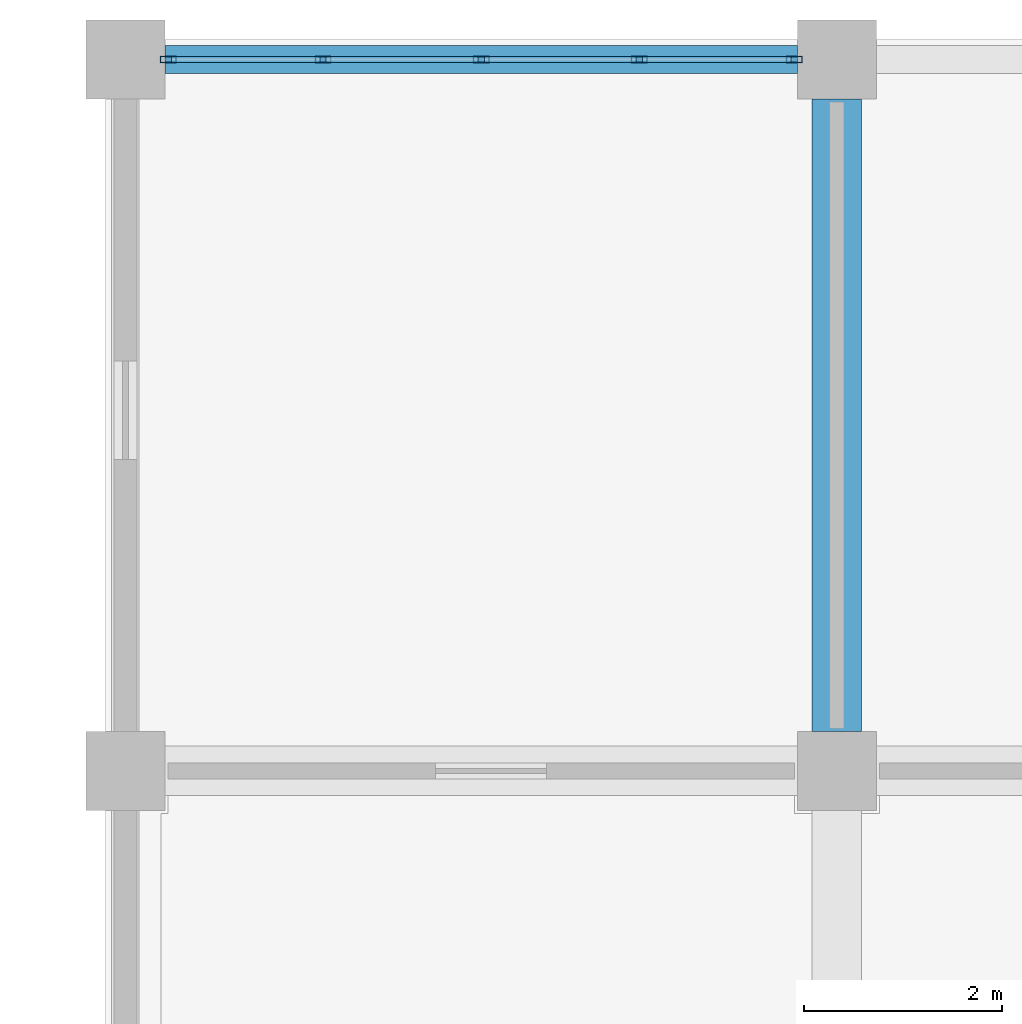
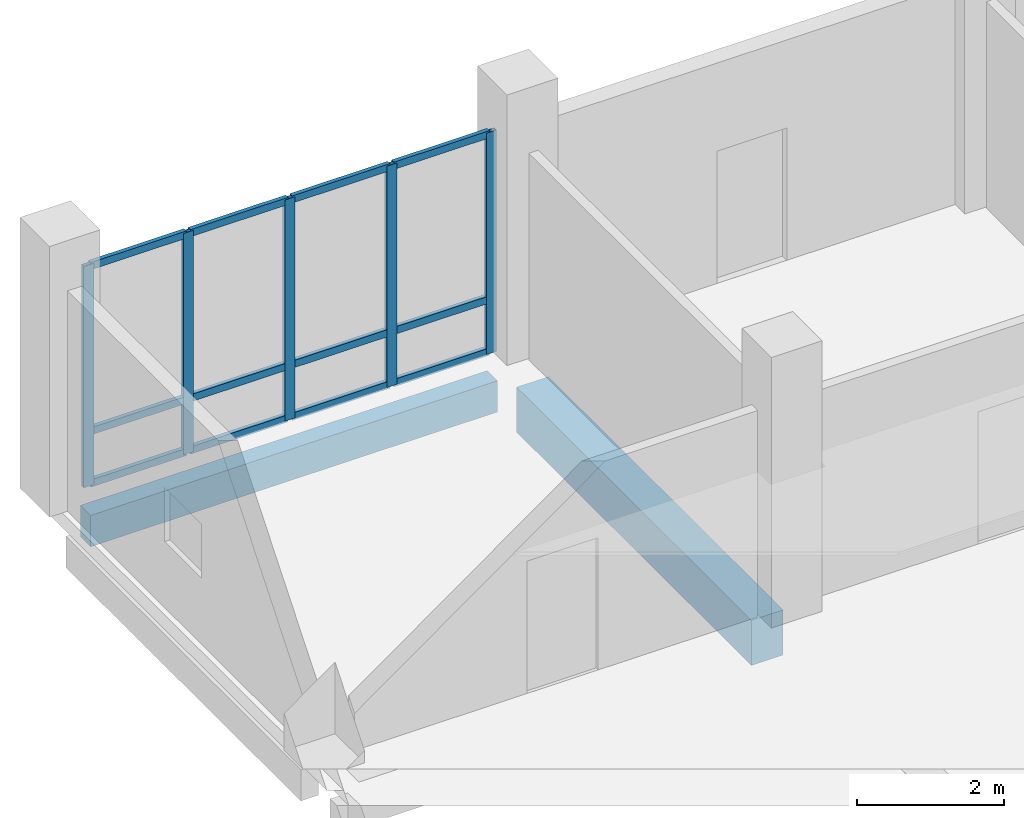
# One storey, part 48 of 139: 17 members, 2 beams, 1 element without a shape of its own.
"""IFC4 building model written with IfcOpenShell, lengths in metres."""

import ifcopenshell
import ifcopenshell.guid

model = None  # the IFC model being written
_history = None  # IfcOwnerHistory: only IFC2X3 demands one
_inside = {}  # id of a spatial element -> (the spatial element, [elements in it])
_under = {}  # id of a project, library or spatial element -> (it, [spatial elements below it])
_declared = {}  # id of a project -> (the project, [libraries it declares])
_typed = {}  # id of a type object -> (the type object, [elements of that type])
_made_of = {}  # id of a material, layer set ... -> (it, [elements and type objects made of it])


def new_model(schema):
    """Start an empty IFC model of exactly this schema.

    Asked for "IFC4X3", IfcOpenShell would pick the latest addendum, in which some entities
    have other attributes; the version numbers below select the first issue.
    IFC2X3 requires an IfcOwnerHistory on every rooted entity: one is made here for all.
    """
    global model, _history
    if schema == "IFC4X3":
        model = ifcopenshell.file(schema_version=(4, 3, 0, 0))
    else:
        model = ifcopenshell.file(schema=schema)
    _inside.clear()
    _under.clear()
    _declared.clear()
    _typed.clear()
    _made_of.clear()
    _history = None
    if model.schema == "IFC2X3":
        org = make("IfcOrganization", Name="unknown")
        user = make(
            "IfcPersonAndOrganization",
            ThePerson=make("IfcPerson", FamilyName="unknown"),
            TheOrganization=org,
        )
        app = make(
            "IfcApplication",
            ApplicationDeveloper=org,
            Version="unknown",
            ApplicationFullName="unknown",
            ApplicationIdentifier="unknown",
        )
        _history = make(
            "IfcOwnerHistory",
            OwningUser=user,
            OwningApplication=app,
            ChangeAction="ADDED",
            CreationDate=0,
        )
    return model


def make(cls, **values):
    """One entity of the class cls with the attributes given. An attribute that is None is left unset."""
    return model.create_entity(
        cls, **{name: value for name, value in values.items() if value is not None}
    )


def rooted(cls, **values):
    """An entity with a GlobalId (a new one), such as an element, a storey or a relation."""
    return make(cls, GlobalId=ifcopenshell.guid.new(), OwnerHistory=_history, **values)


def si_unit(unit_type, name, prefix=None):
    """IfcSIUnit, for example si_unit("LENGTHUNIT", "METRE", prefix="MILLI")."""
    return make("IfcSIUnit", UnitType=unit_type, Prefix=prefix, Name=name)


def assignment(units):
    """IfcUnitAssignment: the units of a project."""
    return None if units is None else make("IfcUnitAssignment", Units=units)


def point(xyz):
    """IfcCartesianPoint."""
    return None if xyz is None else make("IfcCartesianPoint", Coordinates=xyz)


def direction(xyz):
    """IfcDirection."""
    return None if xyz is None else make("IfcDirection", DirectionRatios=xyz)


def frame(location, z_axis=None, x_axis=None):
    """IfcAxis2Placement3D, a coordinate frame: its origin and axes. An axis left out is left unset."""
    return make(
        "IfcAxis2Placement3D",
        Location=point(location),
        Axis=direction(z_axis),
        RefDirection=direction(x_axis),
    )


def frame_2d(location, x_axis=None):
    """IfcAxis2Placement2D, a coordinate frame in the plane: its origin and x axis."""
    return make(
        "IfcAxis2Placement2D", Location=point(location), RefDirection=direction(x_axis)
    )


def origin():
    """The frame at (0, 0, 0) with its axes left unset."""
    return frame((0.0, 0.0, 0.0))


def origin_2d():
    """The frame at (0, 0) in the plane with its x axis left unset."""
    return frame_2d((0.0, 0.0))


def place(relative_to, where):
    """IfcLocalPlacement: puts the frame where relative to a parent placement (None: the world)."""
    return make(
        "IfcLocalPlacement", PlacementRelTo=relative_to, RelativePlacement=where
    )


def context(
    kind, dimensions, precision=None, world=None, true_north=None, identifier=None
):
    """IfcGeometricRepresentationContext, for example the 3D "Model" context."""
    return make(
        "IfcGeometricRepresentationContext",
        ContextIdentifier=identifier,
        ContextType=kind,
        CoordinateSpaceDimension=dimensions,
        Precision=precision,
        WorldCoordinateSystem=world,
        TrueNorth=true_north,
    )


def subcontext(parent, identifier, kind, view, scale=None):
    """IfcGeometricRepresentationSubContext, for example "Body" below "Model"."""
    return make(
        "IfcGeometricRepresentationSubContext",
        ContextIdentifier=identifier,
        ContextType=kind,
        ParentContext=parent,
        TargetScale=scale,
        TargetView=view,
    )


def project(units=None, contexts=None):
    """IfcProject with its units and contexts."""
    return rooted(
        "IfcProject",
        Name="project",
        RepresentationContexts=contexts,
        UnitsInContext=assignment(units),
    )


def spatial(cls, under=None, at=None, **own):
    """A site, building, storey or space (cls), placed at a placement, below another one or the project."""
    s = rooted(cls, ObjectPlacement=at, **own)
    if under is not None:
        _under.setdefault(under.id(), (under, []))[1].append(s)
    return s


def profile(cls, at=None, kind="AREA", **sizes):
    """A parametric profile (cls). Its sizes go by their IFC names, for example OverallWidth=200.0."""
    return make(cls, ProfileType=kind, Position=at, **sizes)


def rectangle(**sizes):
    """IfcRectangleProfileDef."""
    return profile("IfcRectangleProfileDef", **sizes)


def hollow_rectangle(**sizes):
    """IfcRectangleHollowProfileDef."""
    return profile("IfcRectangleHollowProfileDef", **sizes)


def extrude(swept, where, along, depth):
    """IfcExtrudedAreaSolid: the profile swept, set in the frame where, extruded along a direction by depth."""
    return make(
        "IfcExtrudedAreaSolid",
        SweptArea=swept,
        Position=where,
        ExtrudedDirection=direction(along),
        Depth=depth,
    )


def shape(context_of_items, identifier, shape_type, items):
    """IfcShapeRepresentation: the items that make up one representation, for example the "Body"."""
    return make(
        "IfcShapeRepresentation",
        ContextOfItems=context_of_items,
        RepresentationIdentifier=identifier,
        RepresentationType=shape_type,
        Items=items,
    )


def material(Name=None, Category=None):
    """IfcMaterial."""
    return make("IfcMaterial", Name=Name, Category=Category)


def material_profile(
    of_material, cross_section, Name=None, Category=None, Priority=None
):
    """IfcMaterialProfile: a cross section and its material."""
    return make(
        "IfcMaterialProfile",
        Name=Name,
        Material=of_material,
        Profile=cross_section,
        Priority=Priority,
        Category=Category,
    )


def profile_set(profiles, Name=None, composite=None):
    """IfcMaterialProfileSet."""
    return make(
        "IfcMaterialProfileSet",
        Name=Name,
        MaterialProfiles=profiles,
        CompositeProfile=composite,
    )


def made_of(thing, what):
    """Note that an element or type object is made of a material, layer set ...; save() writes the relation."""
    if what is not None:
        _made_of.setdefault(what.id(), (what, []))[1].append(thing)
    return thing


def type_object(cls, material=None, **own):
    """A type object (cls), such as IfcWallType, which elements share."""
    return made_of(rooted(cls, **own), material)


def element(
    cls,
    number,
    at=None,
    inside=None,
    cuts=None,
    type_object=None,
    material=None,
    context=None,
    identifier="Body",
    shape_type=None,
    held_by="IfcProductDefinitionShape",
    body=None,
    shapes=None,
    **own,
):
    """One element of the class cls, such as IfcWall. Its Tag is "e" and its number.

    at: its placement. inside: the storey or other place that contains it. cuts: it is an
    opening in that element (IfcRelVoidsElement). A single representation is given by context,
    identifier, shape_type and body (its items); several are given by shapes. held_by: the class
    of the entity that holds the representations. save() writes the other relations.
    """
    e = rooted(cls, Tag="e%d" % number, ObjectPlacement=at, **own)
    if body is not None:
        shapes = [shape(context, identifier, shape_type, body)]
    if shapes is not None:
        e.Representation = make(held_by, Representations=shapes)
    if inside is not None:
        _inside.setdefault(inside.id(), (inside, []))[1].append(e)
    if cuts is not None:
        rooted(
            "IfcRelVoidsElement", RelatingBuildingElement=cuts, RelatedOpeningElement=e
        )
    if type_object is not None:
        _typed.setdefault(type_object.id(), (type_object, []))[1].append(e)
    return made_of(e, material)


def aggregate(whole, parts):
    """IfcRelAggregates: a whole, such as a stair, and the parts it consists of."""
    return rooted("IfcRelAggregates", RelatingObject=whole, RelatedObjects=parts)


def save(model, path):
    """Write the relations noted so far, then the file.

    IfcRelAggregates (storeys below a building ...), IfcRelContainedInSpatialStructure (elements
    in a storey), IfcRelDefinesByType, IfcRelAssociatesMaterial and IfcRelDeclares: one each for
    every whole, place, type object, material and project.
    """
    for whole, parts in _under.values():
        aggregate(whole, parts)
    for where, things in _inside.values():
        rooted(
            "IfcRelContainedInSpatialStructure",
            RelatedElements=things,
            RelatingStructure=where,
        )
    for kind, things in _typed.values():
        rooted("IfcRelDefinesByType", RelatedObjects=things, RelatingType=kind)
    for what, things in _made_of.values():
        rooted("IfcRelAssociatesMaterial", RelatedObjects=things, RelatingMaterial=what)
    for by, libraries in _declared.values():
        rooted("IfcRelDeclares", RelatingContext=by, RelatedDefinitions=libraries)
    model.write(path)


model = new_model("IFC4")

# Units and contexts
model_context = context("Model", 3, precision=1e-05, world=origin(), true_north=direction((0.0, 1.0)))
body_context = subcontext(model_context, "Body", "Model", "MODEL_VIEW")
ifc_project = project(units=[si_unit("LENGTHUNIT", "METRE"), si_unit("AREAUNIT", "SQUARE_METRE"), si_unit("VOLUMEUNIT", "CUBIC_METRE"), si_unit("PLANEANGLEUNIT", "RADIAN"), si_unit("MASSUNIT", "GRAM", prefix="KILO")], contexts=[model_context])

# Site, building, storey
site_placement = place(None, origin())
site = spatial("IfcSite", under=ifc_project, at=site_placement, CompositionType="ELEMENT")
building_placement = place(site_placement, origin())
building = spatial("IfcBuilding", under=site, at=building_placement, Name="Suanplinth Sawtooth Commons", CompositionType="ELEMENT")
storey_placement = place(building_placement, origin())
storey = spatial("IfcBuildingStorey", under=building, at=storey_placement, Name="L00", CompositionType="ELEMENT", Elevation=0.0)

# Beams
ifc_material_1 = material(Name="Concrete C40/50", Category="concrete")
ifc_material_profile_1 = material_profile(ifc_material_1, rectangle(XDim=0.5, YDim=0.75, at=origin_2d()), Name="RC-GDR 500x750")
ifc_profile_set_1 = profile_set([ifc_material_profile_1], Name="Concrete C40/50")
beam_type_1 = type_object("IfcBeamType", Name="B-03", PredefinedType="USERDEFINED", material=ifc_profile_set_1)
beam_1_placement = place(storey_placement, frame((7.199951171875, 115.60009765625, -0.784912109375), z_axis=(0.0, 1.0, 0.0), x_axis=(-1.0, 0.0, 0.0)))
element("IfcBeam", 1, at=beam_1_placement, inside=storey, type_object=beam_type_1, Name="BMY-L00-A-1-16", ObjectType="GIRDER", PredefinedType="USERDEFINED", context=body_context, shape_type="SweptSolid", body=[
    extrude(rectangle(XDim=0.5, YDim=0.75, at=origin_2d()), origin(), (0.0, 0.0, 1.0), 6.39990234375),
])
ifc_material_2 = material(Name="Precast concrete C40/50", Category="concrete")
ifc_material_profile_2 = material_profile(ifc_material_2, rectangle(XDim=0.280029296875, YDim=0.52001953125, at=origin_2d()), Name="PC-SP 280x520")
ifc_profile_set_2 = profile_set([ifc_material_profile_2], Name="Precast concrete C40/50")
beam_type_2 = type_object("IfcBeamType", Name="B-08", PredefinedType="SPANDREL", material=ifc_profile_set_2)
beam_2_placement = place(storey_placement, frame((0.39990234375, 122.39990234375, -0.669921875), z_axis=(1.0, 0.0, 0.0), x_axis=(0.0, 1.0, 0.0)))
element("IfcBeam", 2, at=beam_2_placement, inside=storey, type_object=beam_type_2, Name="BMX-L00-A-0-17", PredefinedType="SPANDREL", context=body_context, shape_type="SweptSolid", body=[
    extrude(rectangle(XDim=0.280029296875, YDim=0.52001953125, at=origin_2d()), origin(), (0.0, 0.0, 1.0), 6.400146484375),
])

# Curtain wall, members
ifc_material_3 = material(Name="Anodized aluminium and low-E glazing", Category="aluminium")
curtain_wall_type = type_object("IfcCurtainWallType", Name="CW-04", PredefinedType="USERDEFINED", material=ifc_material_3)
curtain_wall_placement = place(storey_placement, origin())
curtain_wall = element("IfcCurtainWall", 3, at=curtain_wall_placement, inside=storey, type_object=curtain_wall_type, Name="Curtain Wall CW-L00-A-N-0", ObjectType="CURTAIN WALL", PredefinedType="USERDEFINED")
ifc_material_4 = material(Name="Anodized aluminium 6063-T6", Category="aluminium")
ifc_material_profile_3 = material_profile(ifc_material_4, hollow_rectangle(XDim=0.06494140625, YDim=0.159912109375, WallThickness=0.00390625, at=origin_2d()), Name="ALU-MUL 65x160")
ifc_profile_set_3 = profile_set([ifc_material_profile_3], Name="Anodized aluminium 6063-T6")
member_type_1 = type_object("IfcMemberType", Name="M-13", PredefinedType="MULLION", material=ifc_profile_set_3)
member_1_placement = place(storey_placement, frame((0.4326171875, 122.39990234375, 0.0), z_axis=(0.0, 0.0, 1.0), x_axis=(0.0, 1.0, 0.0)))
member_1 = element("IfcMember", 4, at=member_1_placement, type_object=member_type_1, Name="CW-04 mullion 1", PredefinedType="MULLION", context=body_context, shape_type="SweptSolid", body=[
    extrude(hollow_rectangle(XDim=0.06494140625, YDim=0.159912109375, WallThickness=0.00390625, at=origin_2d()), origin(), (0.0, 0.0, 1.0), 3.679931640625),
])
member_2_placement = place(storey_placement, frame((2.0, 122.39990234375, 0.0), z_axis=(0.0, 0.0, 1.0), x_axis=(0.0, 1.0, 0.0)))
member_2 = element("IfcMember", 5, at=member_2_placement, type_object=member_type_1, Name="CW-04 mullion 2", PredefinedType="MULLION", context=body_context, shape_type="SweptSolid", body=[
    extrude(hollow_rectangle(XDim=0.06494140625, YDim=0.159912109375, WallThickness=0.00390625, at=origin_2d()), origin(), (0.0, 0.0, 1.0), 3.679931640625),
])
member_3_placement = place(storey_placement, frame((3.60009765625, 122.39990234375, 0.0), z_axis=(0.0, 0.0, 1.0), x_axis=(0.0, 1.0, 0.0)))
member_3 = element("IfcMember", 6, at=member_3_placement, type_object=member_type_1, Name="CW-04 mullion 3", PredefinedType="MULLION", context=body_context, shape_type="SweptSolid", body=[
    extrude(hollow_rectangle(XDim=0.06494140625, YDim=0.159912109375, WallThickness=0.00390625, at=origin_2d()), origin(), (0.0, 0.0, 1.0), 3.679931640625),
])
member_4_placement = place(storey_placement, frame((5.199951171875, 122.39990234375, 0.0), z_axis=(0.0, 0.0, 1.0), x_axis=(0.0, 1.0, 0.0)))
member_4 = element("IfcMember", 7, at=member_4_placement, type_object=member_type_1, Name="CW-04 mullion 4", PredefinedType="MULLION", context=body_context, shape_type="SweptSolid", body=[
    extrude(hollow_rectangle(XDim=0.06494140625, YDim=0.159912109375, WallThickness=0.00390625, at=origin_2d()), origin(), (0.0, 0.0, 1.0), 3.679931640625),
])
member_5_placement = place(storey_placement, frame((6.767578125, 122.39990234375, 0.0), z_axis=(0.0, 0.0, 1.0), x_axis=(0.0, 1.0, 0.0)))
member_5 = element("IfcMember", 8, at=member_5_placement, type_object=member_type_1, Name="CW-04 mullion 5", PredefinedType="MULLION", context=body_context, shape_type="SweptSolid", body=[
    extrude(hollow_rectangle(XDim=0.06494140625, YDim=0.159912109375, WallThickness=0.00390625, at=origin_2d()), origin(), (0.0, 0.0, 1.0), 3.679931640625),
])
ifc_material_profile_4 = material_profile(ifc_material_4, hollow_rectangle(XDim=0.06494140625, YDim=0.1201171875, WallThickness=0.00390625, at=origin_2d()), Name="ALU-TRN 65x120")
ifc_profile_set_4 = profile_set([ifc_material_profile_4], Name="Anodized aluminium 6063-T6")
member_type_2 = type_object("IfcMemberType", Name="M-15", PredefinedType="USERDEFINED", material=ifc_profile_set_4)
member_6_placement = place(storey_placement, frame((0.465087890625, 122.39990234375, 0.032470703125), z_axis=(1.0, 0.0, 0.0), x_axis=(0.0, 1.0, 0.0)))
member_6 = element("IfcMember", 9, at=member_6_placement, type_object=member_type_2, Name="CW-04 transom 1.1", ObjectType="TRANSOM", PredefinedType="USERDEFINED", context=body_context, shape_type="SweptSolid", body=[
    extrude(hollow_rectangle(XDim=0.06494140625, YDim=0.1201171875, WallThickness=0.00390625, at=origin_2d()), origin(), (0.0, 0.0, 1.0), 1.50244140625),
])
member_7_placement = place(storey_placement, frame((0.465087890625, 122.39990234375, 0.89990234375), z_axis=(1.0, 0.0, 0.0), x_axis=(0.0, 1.0, 0.0)))
member_7 = element("IfcMember", 10, at=member_7_placement, type_object=member_type_2, Name="CW-04 transom 1.2", ObjectType="TRANSOM", PredefinedType="USERDEFINED", context=body_context, shape_type="SweptSolid", body=[
    extrude(hollow_rectangle(XDim=0.06494140625, YDim=0.1201171875, WallThickness=0.00390625, at=origin_2d()), origin(), (0.0, 0.0, 1.0), 1.50244140625),
])
member_8_placement = place(storey_placement, frame((0.465087890625, 122.39990234375, 3.6474609375), z_axis=(1.0, 0.0, 0.0), x_axis=(0.0, 1.0, 0.0)))
member_8 = element("IfcMember", 11, at=member_8_placement, type_object=member_type_2, Name="CW-04 transom 1.3", ObjectType="TRANSOM", PredefinedType="USERDEFINED", context=body_context, shape_type="SweptSolid", body=[
    extrude(hollow_rectangle(XDim=0.06494140625, YDim=0.1201171875, WallThickness=0.00390625, at=origin_2d()), origin(), (0.0, 0.0, 1.0), 1.50244140625),
])
member_9_placement = place(storey_placement, frame((2.032470703125, 122.39990234375, 0.032470703125), z_axis=(1.0, 0.0, 0.0), x_axis=(0.0, 1.0, 0.0)))
member_9 = element("IfcMember", 12, at=member_9_placement, type_object=member_type_2, Name="CW-04 transom 2.1", ObjectType="TRANSOM", PredefinedType="USERDEFINED", context=body_context, shape_type="SweptSolid", body=[
    extrude(hollow_rectangle(XDim=0.06494140625, YDim=0.1201171875, WallThickness=0.00390625, at=origin_2d()), origin(), (0.0, 0.0, 1.0), 1.534912109375),
])
member_10_placement = place(storey_placement, frame((2.032470703125, 122.39990234375, 0.89990234375), z_axis=(1.0, 0.0, 0.0), x_axis=(0.0, 1.0, 0.0)))
member_10 = element("IfcMember", 13, at=member_10_placement, type_object=member_type_2, Name="CW-04 transom 2.2", ObjectType="TRANSOM", PredefinedType="USERDEFINED", context=body_context, shape_type="SweptSolid", body=[
    extrude(hollow_rectangle(XDim=0.06494140625, YDim=0.1201171875, WallThickness=0.00390625, at=origin_2d()), origin(), (0.0, 0.0, 1.0), 1.534912109375),
])
member_11_placement = place(storey_placement, frame((2.032470703125, 122.39990234375, 3.6474609375), z_axis=(1.0, 0.0, 0.0), x_axis=(0.0, 1.0, 0.0)))
member_11 = element("IfcMember", 14, at=member_11_placement, type_object=member_type_2, Name="CW-04 transom 2.3", ObjectType="TRANSOM", PredefinedType="USERDEFINED", context=body_context, shape_type="SweptSolid", body=[
    extrude(hollow_rectangle(XDim=0.06494140625, YDim=0.1201171875, WallThickness=0.00390625, at=origin_2d()), origin(), (0.0, 0.0, 1.0), 1.534912109375),
])
member_12_placement = place(storey_placement, frame((3.632568359375, 122.39990234375, 0.032470703125), z_axis=(1.0, 0.0, 0.0), x_axis=(0.0, 1.0, 0.0)))
member_12 = element("IfcMember", 15, at=member_12_placement, type_object=member_type_2, Name="CW-04 transom 3.1", ObjectType="TRANSOM", PredefinedType="USERDEFINED", context=body_context, shape_type="SweptSolid", body=[
    extrude(hollow_rectangle(XDim=0.06494140625, YDim=0.1201171875, WallThickness=0.00390625, at=origin_2d()), origin(), (0.0, 0.0, 1.0), 1.534912109375),
])
member_13_placement = place(storey_placement, frame((3.632568359375, 122.39990234375, 0.89990234375), z_axis=(1.0, 0.0, 0.0), x_axis=(0.0, 1.0, 0.0)))
member_13 = element("IfcMember", 16, at=member_13_placement, type_object=member_type_2, Name="CW-04 transom 3.2", ObjectType="TRANSOM", PredefinedType="USERDEFINED", context=body_context, shape_type="SweptSolid", body=[
    extrude(hollow_rectangle(XDim=0.06494140625, YDim=0.1201171875, WallThickness=0.00390625, at=origin_2d()), origin(), (0.0, 0.0, 1.0), 1.534912109375),
])
member_14_placement = place(storey_placement, frame((3.632568359375, 122.39990234375, 3.6474609375), z_axis=(1.0, 0.0, 0.0), x_axis=(0.0, 1.0, 0.0)))
member_14 = element("IfcMember", 17, at=member_14_placement, type_object=member_type_2, Name="CW-04 transom 3.3", ObjectType="TRANSOM", PredefinedType="USERDEFINED", context=body_context, shape_type="SweptSolid", body=[
    extrude(hollow_rectangle(XDim=0.06494140625, YDim=0.1201171875, WallThickness=0.00390625, at=origin_2d()), origin(), (0.0, 0.0, 1.0), 1.534912109375),
])
member_15_placement = place(storey_placement, frame((5.232421875, 122.39990234375, 0.032470703125), z_axis=(1.0, 0.0, 0.0), x_axis=(0.0, 1.0, 0.0)))
member_15 = element("IfcMember", 18, at=member_15_placement, type_object=member_type_2, Name="CW-04 transom 4.1", ObjectType="TRANSOM", PredefinedType="USERDEFINED", context=body_context, shape_type="SweptSolid", body=[
    extrude(hollow_rectangle(XDim=0.06494140625, YDim=0.1201171875, WallThickness=0.00390625, at=origin_2d()), origin(), (0.0, 0.0, 1.0), 1.502685546875),
])
member_16_placement = place(storey_placement, frame((5.232421875, 122.39990234375, 0.89990234375), z_axis=(1.0, 0.0, 0.0), x_axis=(0.0, 1.0, 0.0)))
member_16 = element("IfcMember", 19, at=member_16_placement, type_object=member_type_2, Name="CW-04 transom 4.2", ObjectType="TRANSOM", PredefinedType="USERDEFINED", context=body_context, shape_type="SweptSolid", body=[
    extrude(hollow_rectangle(XDim=0.06494140625, YDim=0.1201171875, WallThickness=0.00390625, at=origin_2d()), origin(), (0.0, 0.0, 1.0), 1.502685546875),
])
member_17_placement = place(storey_placement, frame((5.232421875, 122.39990234375, 3.6474609375), z_axis=(1.0, 0.0, 0.0), x_axis=(0.0, 1.0, 0.0)))
member_17 = element("IfcMember", 20, at=member_17_placement, type_object=member_type_2, Name="CW-04 transom 4.3", ObjectType="TRANSOM", PredefinedType="USERDEFINED", context=body_context, shape_type="SweptSolid", body=[
    extrude(hollow_rectangle(XDim=0.06494140625, YDim=0.1201171875, WallThickness=0.00390625, at=origin_2d()), origin(), (0.0, 0.0, 1.0), 1.502685546875),
])
aggregate(curtain_wall, [member_1, member_2, member_3, member_4, member_5, member_6, member_7, member_8, member_9, member_10, member_11, member_12, member_13, member_14, member_15, member_16, member_17])

save(model, "model.ifc")
